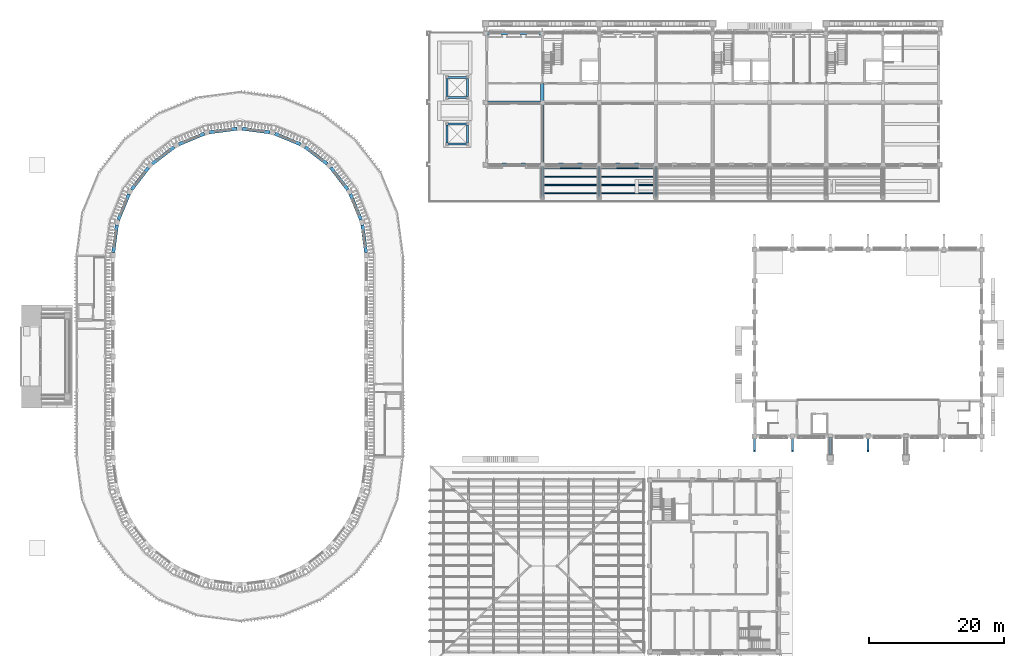
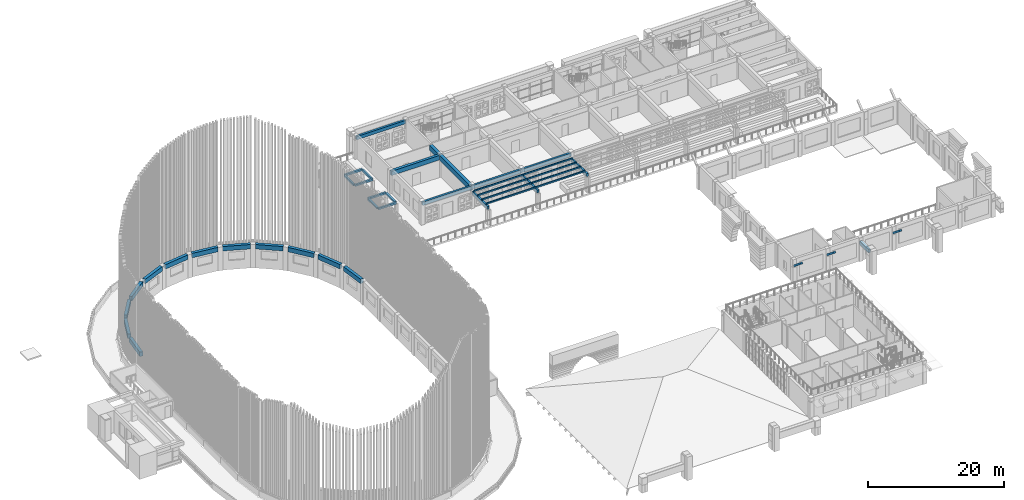
# One storey, part 9 of 68: 31 beams, 11 members.
"""IFC4 building model written with IfcOpenShell, lengths in metres."""

from ifc_helpers import new_model, si_unit, direction, frame, origin, origin_2d, place, context, subcontext, project, spatial, rectangle, extrude, material, material_profile, profile_set, type_object, element, save


model = new_model("IFC4")

# Units and contexts
model_context = context("Model", 3, precision=1e-05, world=origin(), true_north=direction((0.0, 1.0)))
body_context = subcontext(model_context, "Body", "Model", "MODEL_VIEW")
ifc_project = project(units=[si_unit("LENGTHUNIT", "METRE"), si_unit("AREAUNIT", "SQUARE_METRE"), si_unit("VOLUMEUNIT", "CUBIC_METRE"), si_unit("PLANEANGLEUNIT", "RADIAN"), si_unit("MASSUNIT", "GRAM", prefix="KILO")], contexts=[model_context])

# Site, building, storey
site_placement = place(None, origin())
site = spatial("IfcSite", under=ifc_project, at=site_placement, CompositionType="ELEMENT")
building_placement = place(site_placement, origin())
building = spatial("IfcBuilding", under=site, at=building_placement, Name="Wasatch Bagh Community Centre", CompositionType="ELEMENT")
storey_placement = place(building_placement, frame((0.0, 0.0, 8.39990234375)))
storey = spatial("IfcBuildingStorey", under=building, at=storey_placement, Name="L02", CompositionType="ELEMENT", Elevation=8.39990234375)

# Members
ifc_material_1 = material(Name="Concrete C35", Category="concrete")
ifc_material_profile_1 = material_profile(ifc_material_1, rectangle(XDim=0.300048828125, YDim=0.300048828125, at=origin_2d()), Name="RC 300x300")
ifc_profile_set_1 = profile_set([ifc_material_profile_1], Name="Concrete C35")
member_type_1 = type_object("IfcMemberType", Name="CH-B1", PredefinedType="MEMBER", material=ifc_profile_set_1)
for number, where, z_axis, x_axis, name in (
    (1, (112.199951171875, 38.050048828125, 3.0), (0.0, -0.774486545129, 0.632590382013), (1.0, 0.0, 0.0), "CH-B1 eave bracket SH S 112.2"),
    (2, (117.800048828125, 38.050048828125, 3.0), (0.0, -0.774486545129, 0.632590382013), (1.0, 0.0, 0.0), "CH-B1 eave bracket SH S 117.8"),
    (3, (129.0, 38.050048828125, 3.0), (0.0, -0.774486545129, 0.632590382013), (1.0, 0.0, 0.0), "CH-B1 eave bracket SH S 129.0"),
):
    element("IfcMember", number, at=place(storey_placement, frame(where, z_axis=z_axis, x_axis=x_axis)), inside=storey, type_object=member_type_1, Name=name, PredefinedType="MEMBER", context=body_context, shape_type="SweptSolid", body=[
        extrude(rectangle(XDim=0.300048828125, YDim=0.300048828125, at=origin_2d()), origin(), (0.0, 0.0, 1.0), 2.711669921875),
    ])

# Beams
ifc_material_profile_2 = material_profile(ifc_material_1, rectangle(XDim=0.35009765625, YDim=0.60009765625, at=origin_2d()), Name="RC 350x600")
ifc_profile_set_2 = profile_set([ifc_material_profile_2], Name="Concrete C35")
beam_type_1 = type_object("IfcBeamType", Name="CL-B4", PredefinedType="BEAM", material=ifc_profile_set_2)
beam_1_placement = place(storey_placement, frame((123.39990234375, 38.0, 3.300048828125), z_axis=(0.0, -1.0, 0.0), x_axis=(1.0, 0.0, 0.0)))
element("IfcBeam", 4, at=beam_1_placement, inside=storey, type_object=beam_type_1, Name="CL-B4 tie SHP1.3", PredefinedType="BEAM", context=body_context, shape_type="SweptSolid", body=[
    extrude(rectangle(XDim=0.35009765625, YDim=0.60009765625, at=origin_2d()), origin(), (0.0, 0.0, 1.0), 2.550048828125),
])
ifc_material_profile_3 = material_profile(ifc_material_1, rectangle(XDim=0.300048828125, YDim=0.5, at=origin_2d()), Name="RC 300x500")
ifc_profile_set_3 = profile_set([ifc_material_profile_3], Name="Concrete C35")
beam_type_2 = type_object("IfcBeamType", Name="LW RC 300x500", PredefinedType="BEAM", material=ifc_profile_set_3)
for number, where, z_axis, x_axis, name in (
    (5, (80.800048828125, 78.10009765625, 2.85009765625), (0.0, -1.0, 0.0), (1.0, 0.0, 0.0), "Pergola beam T2"),
    (6, (89.199951171875, 78.10009765625, 2.85009765625), (0.0, -1.0, 0.0), (1.0, 0.0, 0.0), "Pergola beam T2"),
    (7, (97.60009765625, 78.10009765625, 2.85009765625), (0.0, -1.0, 0.0), (1.0, 0.0, 0.0), "Pergola beam T2"),
):
    element("IfcBeam", number, at=place(storey_placement, frame(where, z_axis=z_axis, x_axis=x_axis)), inside=storey, type_object=beam_type_2, Name=name, PredefinedType="BEAM", context=body_context, shape_type="SweptSolid", body=[
        extrude(rectangle(XDim=0.300048828125, YDim=0.5, at=origin_2d()), origin(), (0.0, 0.0, 1.0), 4.60009765625),
    ])
ifc_material_profile_4 = material_profile(ifc_material_1, rectangle(XDim=0.35009765625, YDim=0.60009765625, at=origin_2d()), Name="RC 350x600")
ifc_profile_set_4 = profile_set([ifc_material_profile_4], Name="Concrete C35")
beam_type_3 = type_object("IfcBeamType", Name="LW RC 350x600", PredefinedType="BEAM", material=ifc_profile_set_4)
beam_2_placement = place(storey_placement, frame((72.39990234375, 78.39990234375, 3.6201171875), z_axis=(1.0, 0.0, 0.0), x_axis=(0.0, 1.0, 0.0)))
element("IfcBeam", 8, at=beam_2_placement, inside=storey, type_object=beam_type_3, Name="W2-W3S", PredefinedType="BEAM", context=body_context, shape_type="SweptSolid", body=[
    extrude(rectangle(XDim=0.35009765625, YDim=0.60009765625, at=origin_2d()), origin(), (0.0, 0.0, 1.0), 8.400146484375),
])
beam_3_placement = place(storey_placement, frame((80.800048828125, 78.39990234375, 3.6201171875), z_axis=(1.0, 0.0, 0.0), x_axis=(0.0, 1.0, 0.0)))
element("IfcBeam", 9, at=beam_3_placement, inside=storey, type_object=beam_type_3, Name="W3-W4S", PredefinedType="BEAM", context=body_context, shape_type="SweptSolid", body=[
    extrude(rectangle(XDim=0.35009765625, YDim=0.60009765625, at=origin_2d()), origin(), (0.0, 0.0, 1.0), 8.39990234375),
])
for number, where, z_axis, x_axis, name in (
    (10, (89.199951171875, 78.39990234375, 3.6201171875), (1.0, 0.0, 0.0), (0.0, 1.0, 0.0), "W4-W5S"),
    (11, (72.39990234375, 97.800048828125, 3.6201171875), (1.0, 0.0, 0.0), (0.0, 1.0, 0.0), "W2-W3N"),
):
    element("IfcBeam", number, at=place(storey_placement, frame(where, z_axis=z_axis, x_axis=x_axis)), inside=storey, type_object=beam_type_3, Name=name, PredefinedType="BEAM", context=body_context, shape_type="SweptSolid", body=[
        extrude(rectangle(XDim=0.35009765625, YDim=0.60009765625, at=origin_2d()), origin(), (0.0, 0.0, 1.0), 8.400146484375),
    ])
ifc_material_profile_5 = material_profile(ifc_material_1, rectangle(XDim=0.449951171875, YDim=0.800048828125, at=origin_2d()), Name="RC 450x800")
ifc_profile_set_5 = profile_set([ifc_material_profile_5], Name="Concrete C35")
beam_type_4 = type_object("IfcBeamType", Name="LW RC 450x800", PredefinedType="BEAM", material=ifc_profile_set_5)
beam_4_placement = place(storey_placement, frame((72.39990234375, 87.60009765625, 3.52001953125), z_axis=(1.0, 0.0, 0.0), x_axis=(0.0, 1.0, 0.0)))
element("IfcBeam", 12, at=beam_4_placement, inside=storey, type_object=beam_type_4, Name="W2-W3M", PredefinedType="BEAM", context=body_context, shape_type="SweptSolid", body=[
    extrude(rectangle(XDim=0.449951171875, YDim=0.800048828125, at=origin_2d()), origin(), (0.0, 0.0, 1.0), 8.400146484375),
])
ifc_material_profile_6 = material_profile(ifc_material_1, rectangle(XDim=0.5, YDim=0.89990234375, at=origin_2d()), Name="RC 500x900")
ifc_profile_set_6 = profile_set([ifc_material_profile_6], Name="Concrete C35")
beam_type_5 = type_object("IfcBeamType", Name="LW RC 500x900", PredefinedType="BEAM", material=ifc_profile_set_6)
beam_5_placement = place(storey_placement, frame((80.800048828125, 78.39990234375, 3.47021484375), z_axis=(0.0, 1.0, 0.0), x_axis=(-1.0, 0.0, 0.0)))
element("IfcBeam", 13, at=beam_5_placement, inside=storey, type_object=beam_type_5, Name="W3S-M", PredefinedType="BEAM", context=body_context, shape_type="SweptSolid", body=[
    extrude(rectangle(XDim=0.5, YDim=0.89990234375, at=origin_2d()), origin(), (0.0, 0.0, 1.0), 9.2001953125),
])
beam_6_placement = place(storey_placement, frame((80.800048828125, 87.60009765625, 3.47021484375), z_axis=(0.0, 1.0, 0.0), x_axis=(-1.0, 0.0, 0.0)))
element("IfcBeam", 14, at=beam_6_placement, inside=storey, type_object=beam_type_5, Name="W3M-N", PredefinedType="BEAM", context=body_context, shape_type="SweptSolid", body=[
    extrude(rectangle(XDim=0.5, YDim=0.89990234375, at=origin_2d()), origin(), (0.0, 0.0, 1.0), 2.7998046875),
])
ifc_material_profile_7 = material_profile(ifc_material_1, rectangle(XDim=0.300048828125, YDim=0.300048828125, at=origin_2d()), Name="RC 300x300")
ifc_profile_set_7 = profile_set([ifc_material_profile_7], Name="Concrete C35")
beam_type_6 = type_object("IfcBeamType", Name="LW pavilion ring beam 300", PredefinedType="BEAM", material=ifc_profile_set_7)
for number, where, z_axis, x_axis, name in (
    (15, (66.699951171875, 81.39990234375, 2.85009765625), (1.0, 0.0, 0.0), (0.0, 1.0, 0.0), "Shade pavilion 1 ring beam"),
    (16, (66.699951171875, 84.39990234375, 2.85009765625), (1.0, 0.0, 0.0), (0.0, 1.0, 0.0), "Shade pavilion 1 ring beam"),
):
    element("IfcBeam", number, at=place(storey_placement, frame(where, z_axis=z_axis, x_axis=x_axis)), inside=storey, type_object=beam_type_6, Name=name, PredefinedType="BEAM", context=body_context, shape_type="SweptSolid", body=[
        extrude(rectangle(XDim=0.300048828125, YDim=0.300048828125, at=origin_2d()), origin(), (0.0, 0.0, 1.0), 3.0),
    ])
for number, where, z_axis, x_axis, name in (
    (17, (66.699951171875, 81.550048828125, 2.85009765625), (0.0, 1.0, 0.0), (-1.0, 0.0, 0.0), "Shade pavilion 1 ring beam"),
    (18, (69.699951171875, 81.550048828125, 2.85009765625), (0.0, 1.0, 0.0), (-1.0, 0.0, 0.0), "Shade pavilion 1 ring beam"),
):
    element("IfcBeam", number, at=place(storey_placement, frame(where, z_axis=z_axis, x_axis=x_axis)), inside=storey, type_object=beam_type_6, Name=name, PredefinedType="BEAM", context=body_context, shape_type="SweptSolid", body=[
        extrude(rectangle(XDim=0.300048828125, YDim=0.300048828125, at=origin_2d()), origin(), (0.0, 0.0, 1.0), 2.699951171875),
    ])
for number, where, z_axis, x_axis, name in (
    (19, (66.699951171875, 88.300048828125, 2.85009765625), (1.0, 0.0, 0.0), (0.0, 1.0, 0.0), "Shade pavilion 2 ring beam"),
    (20, (66.699951171875, 91.300048828125, 2.85009765625), (1.0, 0.0, 0.0), (0.0, 1.0, 0.0), "Shade pavilion 2 ring beam"),
):
    element("IfcBeam", number, at=place(storey_placement, frame(where, z_axis=z_axis, x_axis=x_axis)), inside=storey, type_object=beam_type_6, Name=name, PredefinedType="BEAM", context=body_context, shape_type="SweptSolid", body=[
        extrude(rectangle(XDim=0.300048828125, YDim=0.300048828125, at=origin_2d()), origin(), (0.0, 0.0, 1.0), 3.0),
    ])
for number, where, z_axis, x_axis, name in (
    (21, (66.699951171875, 88.449951171875, 2.85009765625), (0.0, 1.0, 0.0), (-1.0, 0.0, 0.0), "Shade pavilion 2 ring beam"),
    (22, (69.699951171875, 88.449951171875, 2.85009765625), (0.0, 1.0, 0.0), (-1.0, 0.0, 0.0), "Shade pavilion 2 ring beam"),
):
    element("IfcBeam", number, at=place(storey_placement, frame(where, z_axis=z_axis, x_axis=x_axis)), inside=storey, type_object=beam_type_6, Name=name, PredefinedType="BEAM", context=body_context, shape_type="SweptSolid", body=[
        extrude(rectangle(XDim=0.300048828125, YDim=0.300048828125, at=origin_2d()), origin(), (0.0, 0.0, 1.0), 2.699951171875),
    ])

# Members
ifc_material_2 = material(Name="Glued laminated timber GL24h", Category="wood")
ifc_material_profile_8 = material_profile(ifc_material_2, rectangle(XDim=0.159912109375, YDim=0.260009765625, at=origin_2d()), Name="GL 160x260")
ifc_profile_set_8 = profile_set([ifc_material_profile_8], Name="Glued laminated timber GL24h")
member_type_2 = type_object("IfcMemberType", Name="LW pergola slat 160x260", PredefinedType="MEMBER", material=ifc_profile_set_8)
for number, where, z_axis, x_axis, name in (
    (23, (80.800048828125, 74.1201171875, 3.22998046875), (1.0, 0.0, 0.0), (0.0, 1.0, 0.0), "Pergola slat T2"),
    (24, (80.800048828125, 75.360107421875, 3.22998046875), (1.0, 0.0, 0.0), (0.0, 1.0, 0.0), "Pergola slat T2"),
    (25, (80.800048828125, 76.60009765625, 3.22998046875), (1.0, 0.0, 0.0), (0.0, 1.0, 0.0), "Pergola slat T2"),
    (26, (80.800048828125, 77.840087890625, 3.22998046875), (1.0, 0.0, 0.0), (0.0, 1.0, 0.0), "Pergola slat T2"),
):
    element("IfcMember", number, at=place(storey_placement, frame(where, z_axis=z_axis, x_axis=x_axis)), inside=storey, type_object=member_type_2, Name=name, PredefinedType="MEMBER", context=body_context, shape_type="SweptSolid", body=[
        extrude(rectangle(XDim=0.159912109375, YDim=0.260009765625, at=origin_2d()), origin(), (0.0, 0.0, 1.0), 8.39990234375),
    ])
for number, where, z_axis, x_axis, name in (
    (27, (89.199951171875, 74.1201171875, 3.22998046875), (1.0, 0.0, 0.0), (0.0, 1.0, 0.0), "Pergola slat T2"),
    (28, (89.199951171875, 75.360107421875, 3.22998046875), (1.0, 0.0, 0.0), (0.0, 1.0, 0.0), "Pergola slat T2"),
    (29, (89.199951171875, 76.60009765625, 3.22998046875), (1.0, 0.0, 0.0), (0.0, 1.0, 0.0), "Pergola slat T2"),
    (30, (89.199951171875, 77.840087890625, 3.22998046875), (1.0, 0.0, 0.0), (0.0, 1.0, 0.0), "Pergola slat T2"),
):
    element("IfcMember", number, at=place(storey_placement, frame(where, z_axis=z_axis, x_axis=x_axis)), inside=storey, type_object=member_type_2, Name=name, PredefinedType="MEMBER", context=body_context, shape_type="SweptSolid", body=[
        extrude(rectangle(XDim=0.159912109375, YDim=0.260009765625, at=origin_2d()), origin(), (0.0, 0.0, 1.0), 8.400146484375),
    ])

# Beams
ifc_material_profile_9 = material_profile(ifc_material_1, rectangle(XDim=0.5, YDim=0.800048828125, at=origin_2d()), Name="RC 500x800")
ifc_profile_set_9 = profile_set([ifc_material_profile_9], Name="Concrete C35")
beam_type_7 = type_object("IfcBeamType", Name="MH ring beam RC 500x800", PredefinedType="BEAM", material=ifc_profile_set_9)
for number, where, z_axis, x_axis, name in (
    (31, (54.699462890625, 65.383056640625, 3.800048828125), (-0.130483623501, 0.991450464722, 0.0), (-0.991450464722, -0.130483623501, 0.0), "Ring beam 12.6 E7-N1"),
    (32, (53.963134765625, 70.2099609375, 3.800048828125), (-0.382688328955, 0.923877504262, 0.0), (-0.923877504262, -0.382688328955, 0.0), "Ring beam 12.6 N1-N2"),
    (33, (52.002685546875, 74.681640625, 3.800048828125), (-0.60877717335, 0.793341258985, 0.0), (-0.793341258985, -0.60877717335, 0.0), "Ring beam 12.6 N2-N3"),
    (34, (48.95166015625, 78.493408203125, 3.800048828125), (-0.793341258985, 0.60877717335, 0.0), (-0.60877717335, -0.793341258985, 0.0), "Ring beam 12.6 N3-N4"),
    (35, (45.01806640625, 81.3857421875, 3.800048828125), (-0.923877504262, 0.382688328955, 0.0), (-0.382688328955, -0.923877504262, 0.0), "Ring beam 12.6 N4-N5"),
    (36, (40.4697265625, 83.16162109375, 3.800048828125), (-0.991450464722, 0.130483623501, 0.0), (-0.130483623501, -0.991450464722, 0.0), "Ring beam 12.6 N5-N6"),
    (37, (35.616943359375, 83.699462890625, 3.800048828125), (-0.991450464722, -0.130483623501, 0.0), (0.130483623501, -0.991450464722, 0.0), "Ring beam 12.6 N6-N7"),
    (38, (30.7900390625, 82.963134765625, 3.800048828125), (-0.923877504262, -0.382688328955, 0.0), (0.382688328955, -0.923877504262, 0.0), "Ring beam 12.6 N7-N8"),
    (39, (26.318359375, 81.002685546875, 3.800048828125), (-0.793341258985, -0.60877717335, 0.0), (0.60877717335, -0.793341258985, 0.0), "Ring beam 12.6 N8-N9"),
    (40, (22.506591796875, 77.95166015625, 3.800048828125), (-0.60877717335, -0.793341258985, 0.0), (0.793341258985, -0.60877717335, 0.0), "Ring beam 12.6 N9-N10"),
    (41, (19.6142578125, 74.01806640625, 3.800048828125), (-0.382688328955, -0.923877504262, 0.0), (0.923877504262, -0.382688328955, 0.0), "Ring beam 12.6 N10-N11"),
    (42, (17.83837890625, 69.4697265625, 3.800048828125), (-0.130483623501, -0.991450464722, 0.0), (0.991450464722, -0.130483623501, 0.0), "Ring beam 12.6 N11-W7"),
):
    element("IfcBeam", number, at=place(storey_placement, frame(where, z_axis=z_axis, x_axis=x_axis)), inside=storey, type_object=beam_type_7, Name=name, PredefinedType="BEAM", context=body_context, shape_type="SweptSolid", body=[
        extrude(rectangle(XDim=0.5, YDim=0.800048828125, at=origin_2d()), origin(), (0.0, 0.0, 1.0), 4.121826171875),
    ])

save(model, "model.ifc")
